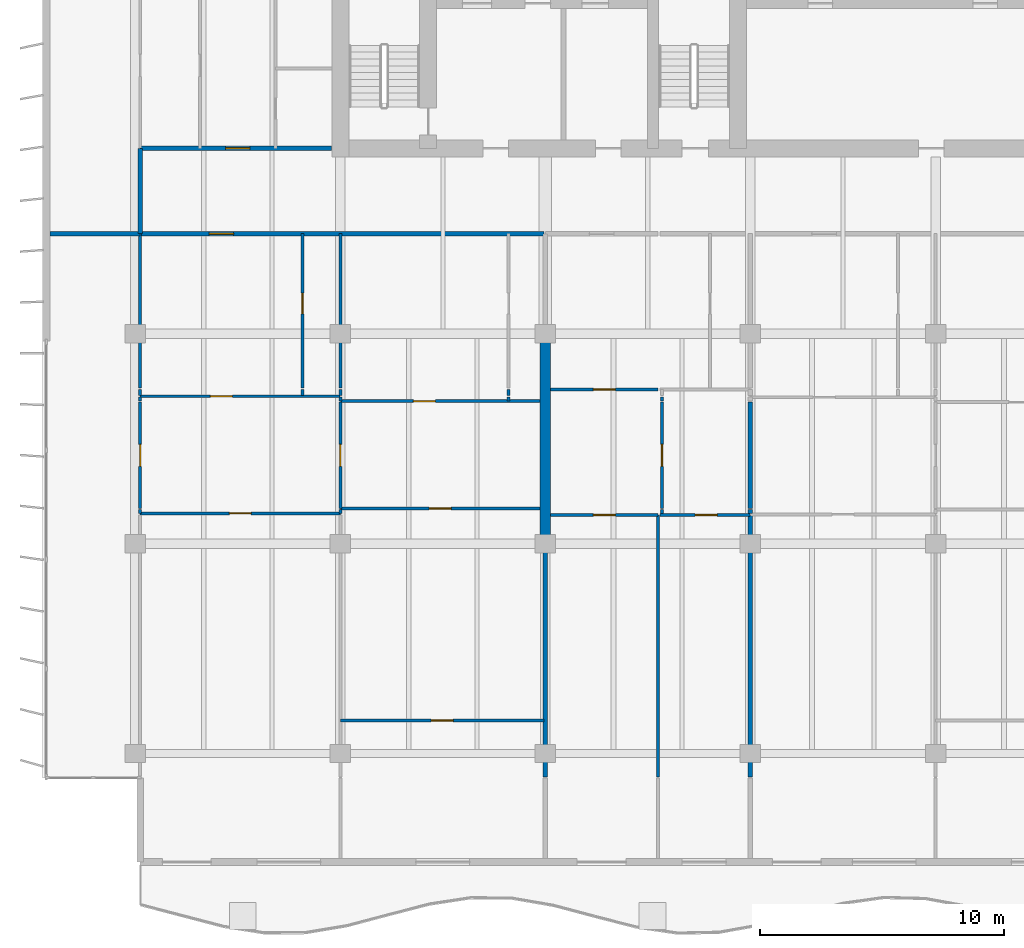
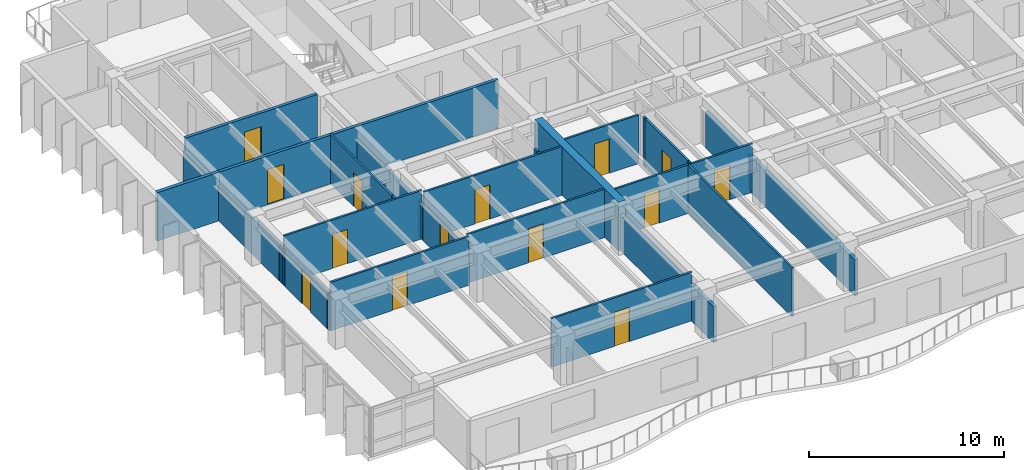
# One storey, part 8 of 19: 35 walls, 14 doors, 14 openings.
"""IFC4 building model written with IfcOpenShell, lengths in metres."""

from ifc_helpers import new_model, si_unit, direction, frame, frame_2d, origin, place, context, subcontext, project, spatial, rectangle, extrude, material, layer, layer_set, type_object, element, fill, save


model = new_model("IFC4")

# Units and contexts
model_context = context("Model", 3, precision=1e-05, world=origin(), true_north=direction((0.0, 1.0)))
body_context = subcontext(model_context, "Body", "Model", "MODEL_VIEW")
ifc_project = project(units=[si_unit("LENGTHUNIT", "METRE"), si_unit("AREAUNIT", "SQUARE_METRE"), si_unit("VOLUMEUNIT", "CUBIC_METRE"), si_unit("PLANEANGLEUNIT", "RADIAN"), si_unit("MASSUNIT", "GRAM", prefix="KILO")], contexts=[model_context])

# Site, building, storey
site_placement = place(None, origin())
site = spatial("IfcSite", under=ifc_project, at=site_placement, CompositionType="ELEMENT")
building_placement = place(site_placement, origin())
building = spatial("IfcBuilding", under=site, at=building_placement, Name="Caelmar Bay Residences", CompositionType="ELEMENT")
storey_placement = place(building_placement, frame((0.0, 0.0, 188.39990234375)))
storey = spatial("IfcBuildingStorey", under=building, at=storey_placement, Name="L52", CompositionType="ELEMENT", Elevation=188.39990234375)

# Walls
ifc_material_1 = material(Name="Concrete f'c 55 MPa (8,000 psi)", Category="concrete")
ifc_layer_1 = layer(ifc_material_1, 0.449951171875)
ifc_layer_set_1 = layer_set([ifc_layer_1], Name="Concrete f'c 55 MPa (8,000 psi)")
wall_type_1 = type_object("IfcWallType", Name="SW-XSLB-450", PredefinedType="SHEAR", material=ifc_layer_set_1)
wall_1_placement = place(storey_placement, frame((26.699951171875, 20.800048828125, 0.0), z_axis=(0.0, 0.0, 1.0), x_axis=(0.0, 1.0, 0.0)))
element("IfcWall", 1, at=wall_1_placement, inside=storey, type_object=wall_type_1, Name="L52 Transverse Cross-Slab Shear Wall W5", PredefinedType="SHEAR", context=body_context, shape_type="SweptSolid", body=[
    extrude(rectangle(XDim=8.599853515625, YDim=0.449951171875, at=frame_2d((4.2998046875, 0.0))), origin(), (0.0, 0.0, 1.0), 3.050048828125),
])
ifc_material_2 = material(Name="Double-stud acoustic fire-rated gypsum partition 180 mm")
ifc_layer_2 = layer(ifc_material_2, 0.179931640625)
ifc_layer_set_2 = layer_set([ifc_layer_2], Name="Double-stud acoustic fire-rated gypsum partition 180 mm")
wall_type_2 = type_object("IfcWallType", Name="W-COR-200", PredefinedType="PARTITIONING", material=ifc_layer_set_2)
wall_2_placement = place(storey_placement, frame((10.10009765625, 33.5048828125, 0.0), z_axis=(0.0, 0.0, 1.0), x_axis=(0.0, 1.0, 0.0)))
element("IfcWall", 2, at=wall_2_placement, inside=storey, type_object=wall_type_2, Name="L52 Partition Wall V007", PredefinedType="PARTITIONING", context=body_context, shape_type="SweptSolid", body=[
    extrude(rectangle(XDim=3.4951171875, YDim=0.179931640625, at=frame_2d((1.74755859375, 0.0))), origin(), (0.0, 0.0, 1.0), 2.26318359375),
])

# Wall, opening, door
wall_3_placement = place(storey_placement, frame((10.10498046875, 33.5, 0.0), z_axis=(0.0, 0.0, 1.0), x_axis=(1.0, 0.0, 0.0)))
wall_3 = element("IfcWall", 3, at=wall_3_placement, inside=storey, type_object=wall_type_2, Name="L52 Partition Wall H124", PredefinedType="PARTITIONING", context=body_context, shape_type="SweptSolid", body=[
    extrude(rectangle(XDim=16.544921875, YDim=0.179931640625, at=frame_2d((8.2724609375, 0.0))), origin(), (0.0, 0.0, 1.0), 3.050048828125),
])
opening_1_placement = place(wall_3_placement, frame((2.823974609375, 0.0, 0.0)))
opening_1 = element("IfcOpeningElement", 4, at=opening_1_placement, cuts=wall_3, Name="Opening D-L52-124", PredefinedType="OPENING", context=body_context, shape_type="SweptSolid", body=[
    extrude(rectangle(XDim=1.0, YDim=2.199951171875, at=frame_2d((0.5, 1.10009765625))), frame((0.0, 0.099853515625, 0.0), z_axis=(0.0, -1.0, 0.0), x_axis=(1.0, 0.0, 0.0)), (0.0, 0.0, 1.0), 0.199951171875),
])
ifc_material_3 = material(Name="Fire-rated steel and walnut architectural door assembly", Category="steel")
ifc_layer_3 = layer(ifc_material_3, 0.050048828125)
ifc_layer_set_3 = layer_set([ifc_layer_3], Name="Fire-rated steel and walnut architectural door assembly")
door_type_1 = type_object("IfcDoorType", Name="D-UNIT-1000", OperationType="NOTDEFINED", PredefinedType="DOOR", material=ifc_layer_set_3)
door_1_placement = place(opening_1_placement, origin())
door_1 = element("IfcDoor", 5, at=door_1_placement, inside=storey, type_object=door_type_1, Name="L52 Residence 01 Apartment Hall Door", OperationType="SINGLE_SWING_RIGHT", OverallHeight=2.199951171875, OverallWidth=1.0, PredefinedType="DOOR", context=body_context, shape_type="SweptSolid", body=[
    extrude(rectangle(XDim=1.0, YDim=2.199951171875, at=frame_2d((0.5, 1.10009765625))), frame((0.0, 0.02490234375, 0.0), z_axis=(0.0, -1.0, 0.0), x_axis=(1.0, 0.0, 0.0)), (0.0, 0.0, 1.0), 0.050048828125),
])
fill(opening_1, door_1)

wall_4_placement = place(storey_placement, frame((10.10009765625, 37.0, 0.0), z_axis=(0.0, 0.0, 1.0), x_axis=(1.0, 0.0, 0.0)))
wall_4 = element("IfcWall", 6, at=wall_4_placement, inside=storey, type_object=wall_type_2, Name="L52 Partition Wall H128", PredefinedType="PARTITIONING", context=body_context, shape_type="SweptSolid", body=[
    extrude(rectangle(XDim=7.844970703125, YDim=0.179931640625, at=frame_2d((3.92236328125, 0.0))), origin(), (0.0, 0.0, 1.0), 3.050048828125),
])
opening_2_placement = place(wall_4_placement, frame((3.49609375, 0.0, 0.0)))
opening_2 = element("IfcOpeningElement", 7, at=opening_2_placement, cuts=wall_4, Name="Opening D-L52-164", PredefinedType="OPENING", context=body_context, shape_type="SweptSolid", body=[
    extrude(rectangle(XDim=1.0, YDim=2.199951171875, at=frame_2d((0.5, 1.10009765625))), frame((0.0, 0.099853515625, 0.0), z_axis=(0.0, -1.0, 0.0), x_axis=(1.0, 0.0, 0.0)), (0.0, 0.0, 1.0), 0.199951171875),
])
door_2_placement = place(opening_2_placement, origin())
door_2 = element("IfcDoor", 8, at=door_2_placement, inside=storey, type_object=door_type_1, Name="L52 Residence WA Kitchen Door", OperationType="SINGLE_SWING_RIGHT", OverallHeight=2.199951171875, OverallWidth=1.0, PredefinedType="DOOR", context=body_context, shape_type="SweptSolid", body=[
    extrude(rectangle(XDim=1.0, YDim=2.199951171875, at=frame_2d((0.5, 1.10009765625))), frame((0.0, 0.02490234375, 0.0), z_axis=(0.0, -1.0, 0.0), x_axis=(1.0, 0.0, 0.0)), (0.0, 0.0, 1.0), 0.050048828125),
])
fill(opening_2, door_2)

# Wall
ifc_material_4 = material(Name="Acoustic metal-stud gypsum partition 120 mm")
ifc_layer_4 = layer(ifc_material_4, 0.1201171875)
ifc_layer_set_4 = layer_set([ifc_layer_4], Name="Acoustic metal-stud gypsum partition 120 mm")
wall_type_3 = type_object("IfcWallType", Name="W-PRT-120", PredefinedType="PARTITIONING", material=ifc_layer_set_4)
wall_5_placement = place(storey_placement, frame((10.10009765625, 22.0400390625, 0.0), z_axis=(0.0, 0.0, 1.0), x_axis=(0.0, 1.0, 0.0)))
element("IfcWall", 9, at=wall_5_placement, inside=storey, type_object=wall_type_3, Name="L52 Partition Wall V002", PredefinedType="PARTITIONING", context=body_context, shape_type="SweptSolid", body=[
    extrude(rectangle(XDim=0.159912109375, YDim=0.1201171875, at=frame_2d((0.080078125, 0.0))), origin(), (0.0, 0.0, 1.0), 2.26318359375),
])

# Wall, opening, door
wall_6_placement = place(storey_placement, frame((10.10009765625, 22.239990234375, 0.0), z_axis=(0.0, 0.0, 1.0), x_axis=(0.0, 1.0, 0.0)))
wall_6 = element("IfcWall", 10, at=wall_6_placement, inside=storey, type_object=wall_type_3, Name="L52 Partition Wall V003", PredefinedType="PARTITIONING", context=body_context, shape_type="SweptSolid", body=[
    extrude(rectangle(XDim=4.360107421875, YDim=0.1201171875, at=frame_2d((2.18017578125, 0.0))), origin(), (0.0, 0.0, 1.0), 2.26318359375),
])
opening_3_placement = place(wall_6_placement, frame((1.72998046875, 0.0, 0.0)))
opening_3 = element("IfcOpeningElement", 11, at=opening_3_placement, cuts=wall_6, Name="Opening D-L52-161", PredefinedType="OPENING", context=body_context, shape_type="SweptSolid", body=[
    extrude(rectangle(XDim=0.89990234375, YDim=2.14990234375, at=frame_2d((0.449951171875, 1.074951171875))), frame((0.0, 0.070068359375, 0.0), z_axis=(0.0, -1.0, 0.0), x_axis=(1.0, 0.0, 0.0)), (0.0, 0.0, 1.0), 0.14013671875),
])
ifc_material_5 = material(Name="Solid walnut timber interior door leaf and frame", Category="wood")
ifc_layer_5 = layer(ifc_material_5, 0.050048828125)
ifc_layer_set_5 = layer_set([ifc_layer_5], Name="Solid walnut timber interior door leaf and frame")
door_type_2 = type_object("IfcDoorType", Name="D-ROOM-900", OperationType="NOTDEFINED", PredefinedType="DOOR", material=ifc_layer_set_5)
door_3_placement = place(opening_3_placement, origin())
door_3 = element("IfcDoor", 12, at=door_3_placement, inside=storey, type_object=door_type_2, Name="L52 Residence 01 Penthouse West Salon Door", OperationType="SINGLE_SWING_LEFT", OverallHeight=2.14990234375, OverallWidth=0.89990234375, PredefinedType="DOOR", context=body_context, shape_type="SweptSolid", body=[
    extrude(rectangle(XDim=0.89990234375, YDim=2.14990234375, at=frame_2d((0.449951171875, 1.074951171875))), frame((0.0, 0.02490234375, 0.0), z_axis=(0.0, -1.0, 0.0), x_axis=(1.0, 0.0, 0.0)), (0.0, 0.0, 1.0), 0.050048828125),
])
fill(opening_3, door_3)

# Walls
wall_7_placement = place(storey_placement, frame((10.10009765625, 26.639892578125, 0.0), z_axis=(0.0, 0.0, 1.0), x_axis=(0.0, 1.0, 0.0)))
element("IfcWall", 13, at=wall_7_placement, inside=storey, type_object=wall_type_3, Name="L52 Partition Wall V004", PredefinedType="PARTITIONING", context=body_context, shape_type="SweptSolid", body=[
    extrude(rectangle(XDim=0.16015625, YDim=0.1201171875, at=frame_2d((0.080078125, 0.0))), origin(), (0.0, 0.0, 1.0), 2.26318359375),
])
wall_8_placement = place(storey_placement, frame((10.10009765625, 26.8798828125, 0.0), z_axis=(0.0, 0.0, 1.0), x_axis=(0.0, 1.0, 0.0)))
element("IfcWall", 14, at=wall_8_placement, inside=storey, type_object=wall_type_3, Name="L52 Partition Wall V005", PredefinedType="PARTITIONING", context=body_context, shape_type="SweptSolid", body=[
    extrude(rectangle(XDim=0.240234375, YDim=0.1201171875, at=frame_2d((0.1201171875, 0.0))), origin(), (0.0, 0.0, 1.0), 2.26318359375),
])
wall_9_placement = place(storey_placement, frame((10.10009765625, 27.179931640625, 0.0), z_axis=(0.0, 0.0, 1.0), x_axis=(0.0, 1.0, 0.0)))
element("IfcWall", 15, at=wall_9_placement, inside=storey, type_object=wall_type_3, Name="L52 Partition Wall V006", PredefinedType="PARTITIONING", context=body_context, shape_type="SweptSolid", body=[
    extrude(rectangle(XDim=6.320068359375, YDim=0.1201171875, at=frame_2d((3.16015625, 0.0))), origin(), (0.0, 0.0, 1.0), 2.26318359375),
])
wall_10_placement = place(storey_placement, frame((16.7529296875, 26.8798828125, 0.0), z_axis=(0.0, 0.0, 1.0), x_axis=(0.0, 1.0, 0.0)))
element("IfcWall", 16, at=wall_10_placement, inside=storey, type_object=wall_type_3, Name="L52 Partition Wall V012", PredefinedType="PARTITIONING", context=body_context, shape_type="SweptSolid", body=[
    extrude(rectangle(XDim=0.240234375, YDim=0.1201171875, at=frame_2d((0.1201171875, 0.0))), origin(), (0.0, 0.0, 1.0), 3.050048828125),
])

# Wall, opening, door
wall_11_placement = place(storey_placement, frame((16.7529296875, 27.179931640625, 0.0), z_axis=(0.0, 0.0, 1.0), x_axis=(0.0, 1.0, 0.0)))
wall_11 = element("IfcWall", 17, at=wall_11_placement, inside=storey, type_object=wall_type_3, Name="L52 Partition Wall V013", PredefinedType="PARTITIONING", context=body_context, shape_type="SweptSolid", body=[
    extrude(rectangle(XDim=6.320068359375, YDim=0.1201171875, at=frame_2d((3.16015625, 0.0))), origin(), (0.0, 0.0, 1.0), 3.050048828125),
])
opening_4_placement = place(wall_11_placement, frame((3.034912109375, 0.0, 0.0)))
opening_4 = element("IfcOpeningElement", 18, at=opening_4_placement, cuts=wall_11, Name="Opening D-L52-125", PredefinedType="OPENING", context=body_context, shape_type="SweptSolid", body=[
    extrude(rectangle(XDim=0.85009765625, YDim=2.10009765625, at=frame_2d((0.425048828125, 1.050048828125))), frame((0.0, 0.070068359375, 0.0), z_axis=(0.0, -1.0, 0.0), x_axis=(1.0, 0.0, 0.0)), (0.0, 0.0, 1.0), 0.14013671875),
])
ifc_layer_6 = layer(ifc_material_5, 0.050048828125)
ifc_layer_set_6 = layer_set([ifc_layer_6], Name="Solid walnut timber interior door leaf and frame")
door_type_3 = type_object("IfcDoorType", Name="D-BATH-850", OperationType="NOTDEFINED", PredefinedType="DOOR", material=ifc_layer_set_6)
door_4_placement = place(opening_4_placement, origin())
door_4 = element("IfcDoor", 19, at=door_4_placement, inside=storey, type_object=door_type_3, Name="L52 Residence 01 Guest Bathroom Door", OperationType="SINGLE_SWING_LEFT", OverallHeight=2.10009765625, OverallWidth=0.85009765625, PredefinedType="DOOR", context=body_context, shape_type="SweptSolid", body=[
    extrude(rectangle(XDim=0.85009765625, YDim=2.10009765625, at=frame_2d((0.425048828125, 1.050048828125))), frame((0.0, 0.02490234375, 0.0), z_axis=(0.0, -1.0, 0.0), x_axis=(1.0, 0.0, 0.0)), (0.0, 0.0, 1.0), 0.050048828125),
])
fill(opening_4, door_4)

# Wall
wall_12_placement = place(storey_placement, frame((18.300048828125, 22.0400390625, 0.0), z_axis=(0.0, 0.0, 1.0), x_axis=(0.0, 1.0, 0.0)))
element("IfcWall", 20, at=wall_12_placement, inside=storey, type_object=wall_type_3, Name="L52 Partition Wall V016", PredefinedType="PARTITIONING", context=body_context, shape_type="SweptSolid", body=[
    extrude(rectangle(XDim=0.159912109375, YDim=0.1201171875, at=frame_2d((0.080078125, 0.0))), origin(), (0.0, 0.0, 1.0), 2.26318359375),
])

# Wall, opening, door
wall_13_placement = place(storey_placement, frame((18.300048828125, 22.239990234375, 0.0), z_axis=(0.0, 0.0, 1.0), x_axis=(0.0, 1.0, 0.0)))
wall_13 = element("IfcWall", 21, at=wall_13_placement, inside=storey, type_object=wall_type_3, Name="L52 Partition Wall V017", PredefinedType="PARTITIONING", context=body_context, shape_type="SweptSolid", body=[
    extrude(rectangle(XDim=4.360107421875, YDim=0.1201171875, at=frame_2d((2.18017578125, 0.0))), origin(), (0.0, 0.0, 1.0), 2.26318359375),
])
opening_5_placement = place(wall_13_placement, frame((1.72998046875, 0.0, 0.0)))
opening_5 = element("IfcOpeningElement", 22, at=opening_5_placement, cuts=wall_13, Name="Opening D-L52-128", PredefinedType="OPENING", context=body_context, shape_type="SweptSolid", body=[
    extrude(rectangle(XDim=0.89990234375, YDim=2.14990234375, at=frame_2d((0.449951171875, 1.074951171875))), frame((0.0, 0.070068359375, 0.0), z_axis=(0.0, -1.0, 0.0), x_axis=(1.0, 0.0, 0.0)), (0.0, 0.0, 1.0), 0.14013671875),
])
door_5_placement = place(opening_5_placement, origin())
door_5 = element("IfcDoor", 23, at=door_5_placement, inside=storey, type_object=door_type_2, Name="L52 Residence 01 Conference Study 1 Door", OperationType="SINGLE_SWING_RIGHT", OverallHeight=2.14990234375, OverallWidth=0.89990234375, PredefinedType="DOOR", context=body_context, shape_type="SweptSolid", body=[
    extrude(rectangle(XDim=0.89990234375, YDim=2.14990234375, at=frame_2d((0.449951171875, 1.074951171875))), frame((0.0, 0.02490234375, 0.0), z_axis=(0.0, -1.0, 0.0), x_axis=(1.0, 0.0, 0.0)), (0.0, 0.0, 1.0), 0.050048828125),
])
fill(opening_5, door_5)

# Walls
wall_14_placement = place(storey_placement, frame((18.300048828125, 26.639892578125, 0.0), z_axis=(0.0, 0.0, 1.0), x_axis=(0.0, 1.0, 0.0)))
element("IfcWall", 24, at=wall_14_placement, inside=storey, type_object=wall_type_3, Name="L52 Partition Wall V018", PredefinedType="PARTITIONING", context=body_context, shape_type="SweptSolid", body=[
    extrude(rectangle(XDim=0.16015625, YDim=0.1201171875, at=frame_2d((0.080078125, 0.0))), origin(), (0.0, 0.0, 1.0), 2.26318359375),
])
wall_15_placement = place(storey_placement, frame((18.300048828125, 26.8798828125, 0.0), z_axis=(0.0, 0.0, 1.0), x_axis=(0.0, 1.0, 0.0)))
element("IfcWall", 25, at=wall_15_placement, inside=storey, type_object=wall_type_3, Name="L52 Partition Wall V019", PredefinedType="PARTITIONING", context=body_context, shape_type="SweptSolid", body=[
    extrude(rectangle(XDim=0.240234375, YDim=0.1201171875, at=frame_2d((0.1201171875, 0.0))), origin(), (0.0, 0.0, 1.0), 2.26318359375),
])
wall_16_placement = place(storey_placement, frame((18.300048828125, 27.179931640625, 0.0), z_axis=(0.0, 0.0, 1.0), x_axis=(0.0, 1.0, 0.0)))
element("IfcWall", 26, at=wall_16_placement, inside=storey, type_object=wall_type_3, Name="L52 Partition Wall V020", PredefinedType="PARTITIONING", context=body_context, shape_type="SweptSolid", body=[
    extrude(rectangle(XDim=6.320068359375, YDim=0.1201171875, at=frame_2d((3.16015625, 0.0))), origin(), (0.0, 0.0, 1.0), 2.26318359375),
])
wall_17_placement = place(storey_placement, frame((25.199951171875, 26.639892578125, 0.0), z_axis=(0.0, 0.0, 1.0), x_axis=(0.0, 1.0, 0.0)))
element("IfcWall", 27, at=wall_17_placement, inside=storey, type_object=wall_type_3, Name="L52 Partition Wall V022", PredefinedType="PARTITIONING", context=body_context, shape_type="SweptSolid", body=[
    extrude(rectangle(XDim=0.16015625, YDim=0.1201171875, at=frame_2d((0.080078125, 0.0))), origin(), (0.0, 0.0, 1.0), 3.050048828125),
])
wall_18_placement = place(storey_placement, frame((25.199951171875, 26.8798828125, 0.0), z_axis=(0.0, 0.0, 1.0), x_axis=(0.0, 1.0, 0.0)))
element("IfcWall", 28, at=wall_18_placement, inside=storey, type_object=wall_type_3, Name="L52 Partition Wall V023", PredefinedType="PARTITIONING", context=body_context, shape_type="SweptSolid", body=[
    extrude(rectangle(XDim=0.240234375, YDim=0.1201171875, at=frame_2d((0.1201171875, 0.0))), origin(), (0.0, 0.0, 1.0), 3.050048828125),
])
wall_19_placement = place(storey_placement, frame((31.320068359375, 11.239990234375, 0.0), z_axis=(0.0, 0.0, 1.0), x_axis=(0.0, 1.0, 0.0)))
element("IfcWall", 29, at=wall_19_placement, inside=storey, type_object=wall_type_3, Name="L52 Partition Wall V033", PredefinedType="PARTITIONING", context=body_context, shape_type="SweptSolid", body=[
    extrude(rectangle(XDim=10.72998046875, YDim=0.1201171875, at=frame_2d((5.364990234375, 0.0))), origin(), (0.0, 0.0, 1.0), 3.050048828125),
])
wall_20_placement = place(storey_placement, frame((31.486083984375, 22.0400390625, 0.0), z_axis=(0.0, 0.0, 1.0), x_axis=(0.0, 1.0, 0.0)))
element("IfcWall", 30, at=wall_20_placement, inside=storey, type_object=wall_type_3, Name="L52 Partition Wall V035", PredefinedType="PARTITIONING", context=body_context, shape_type="SweptSolid", body=[
    extrude(rectangle(XDim=0.159912109375, YDim=0.1201171875, at=frame_2d((0.080078125, 0.0))), origin(), (0.0, 0.0, 1.0), 3.050048828125),
])

# Wall, opening, door
wall_21_placement = place(storey_placement, frame((31.486083984375, 22.239990234375, 0.0), z_axis=(0.0, 0.0, 1.0), x_axis=(0.0, 1.0, 0.0)))
wall_21 = element("IfcWall", 31, at=wall_21_placement, inside=storey, type_object=wall_type_3, Name="L52 Partition Wall V036", PredefinedType="PARTITIONING", context=body_context, shape_type="SweptSolid", body=[
    extrude(rectangle(XDim=4.360107421875, YDim=0.1201171875, at=frame_2d((2.18017578125, 0.0))), origin(), (0.0, 0.0, 1.0), 3.050048828125),
])
opening_6_placement = place(wall_21_placement, frame((1.72998046875, 0.0, 0.0)))
opening_6 = element("IfcOpeningElement", 32, at=opening_6_placement, cuts=wall_21, Name="Opening D-L52-136", PredefinedType="OPENING", context=body_context, shape_type="SweptSolid", body=[
    extrude(rectangle(XDim=0.89990234375, YDim=2.14990234375, at=frame_2d((0.449951171875, 1.074951171875))), frame((0.0, 0.070068359375, 0.0), z_axis=(0.0, -1.0, 0.0), x_axis=(1.0, 0.0, 0.0)), (0.0, 0.0, 1.0), 0.14013671875),
])
door_6_placement = place(opening_6_placement, origin())
door_6 = element("IfcDoor", 33, at=door_6_placement, inside=storey, type_object=door_type_2, Name="L52 Residence 02 Private Meeting Room Door", OperationType="SINGLE_SWING_RIGHT", OverallHeight=2.14990234375, OverallWidth=0.89990234375, PredefinedType="DOOR", context=body_context, shape_type="SweptSolid", body=[
    extrude(rectangle(XDim=0.89990234375, YDim=2.14990234375, at=frame_2d((0.449951171875, 1.074951171875))), frame((0.0, 0.02490234375, 0.0), z_axis=(0.0, -1.0, 0.0), x_axis=(1.0, 0.0, 0.0)), (0.0, 0.0, 1.0), 0.050048828125),
])
fill(opening_6, door_6)

# Wall
wall_22_placement = place(storey_placement, frame((31.486083984375, 26.639892578125, 0.0), z_axis=(0.0, 0.0, 1.0), x_axis=(0.0, 1.0, 0.0)))
element("IfcWall", 34, at=wall_22_placement, inside=storey, type_object=wall_type_3, Name="L52 Partition Wall V037", PredefinedType="PARTITIONING", context=body_context, shape_type="SweptSolid", body=[
    extrude(rectangle(XDim=0.16015625, YDim=0.1201171875, at=frame_2d((0.080078125, 0.0))), origin(), (0.0, 0.0, 1.0), 3.050048828125),
])

# Wall, opening, door
wall_23_placement = place(storey_placement, frame((18.300048828125, 13.550048828125, 0.0), z_axis=(0.0, 0.0, 1.0), x_axis=(1.0, 0.0, 0.0)))
wall_23 = element("IfcWall", 35, at=wall_23_placement, inside=storey, type_object=wall_type_3, Name="L52 Partition Wall H104", PredefinedType="PARTITIONING", context=body_context, shape_type="SweptSolid", body=[
    extrude(rectangle(XDim=8.349853515625, YDim=0.1201171875, at=frame_2d((4.1748046875, 0.0))), origin(), (0.0, 0.0, 1.0), 3.050048828125),
])
opening_7_placement = place(wall_23_placement, frame((3.72509765625, 0.0, 0.0)))
opening_7 = element("IfcOpeningElement", 36, at=opening_7_placement, cuts=wall_23, Name="Opening D-L52-132", PredefinedType="OPENING", context=body_context, shape_type="SweptSolid", body=[
    extrude(rectangle(XDim=0.89990234375, YDim=2.14990234375, at=frame_2d((0.449951171875, 1.074951171875))), frame((0.0, 0.070068359375, 0.0), z_axis=(0.0, -1.0, 0.0), x_axis=(1.0, 0.0, 0.0)), (0.0, 0.0, 1.0), 0.14013671875),
])
door_7_placement = place(opening_7_placement, origin())
door_7 = element("IfcDoor", 37, at=door_7_placement, inside=storey, type_object=door_type_2, Name="L52 Residence 01 Primary Bedroom 1 Door", OperationType="SINGLE_SWING_RIGHT", OverallHeight=2.14990234375, OverallWidth=0.89990234375, PredefinedType="DOOR", context=body_context, shape_type="SweptSolid", body=[
    extrude(rectangle(XDim=0.89990234375, YDim=2.14990234375, at=frame_2d((0.449951171875, 1.074951171875))), frame((0.0, 0.02490234375, 0.0), z_axis=(0.0, -1.0, 0.0), x_axis=(1.0, 0.0, 0.0)), (0.0, 0.0, 1.0), 0.050048828125),
])
fill(opening_7, door_7)

wall_24_placement = place(storey_placement, frame((26.919921875, 21.969970703125, 0.0), z_axis=(0.0, 0.0, 1.0), x_axis=(1.0, 0.0, 0.0)))
wall_24 = element("IfcWall", 38, at=wall_24_placement, inside=storey, type_object=wall_type_3, Name="L52 Partition Wall H108", PredefinedType="PARTITIONING", context=body_context, shape_type="SweptSolid", body=[
    extrude(rectangle(XDim=4.400146484375, YDim=0.1201171875, at=frame_2d((2.2001953125, 0.0))), origin(), (0.0, 0.0, 1.0), 3.050048828125),
])
opening_8_placement = place(wall_24_placement, frame((1.75, 0.0, 0.0)))
opening_8 = element("IfcOpeningElement", 39, at=opening_8_placement, cuts=wall_24, Name="Opening D-L52-137", PredefinedType="OPENING", context=body_context, shape_type="SweptSolid", body=[
    extrude(rectangle(XDim=0.89990234375, YDim=2.14990234375, at=frame_2d((0.449951171875, 1.074951171875))), frame((0.0, 0.070068359375, 0.0), z_axis=(0.0, -1.0, 0.0), x_axis=(1.0, 0.0, 0.0)), (0.0, 0.0, 1.0), 0.14013671875),
])
door_8_placement = place(opening_8_placement, origin())
door_8 = element("IfcDoor", 40, at=door_8_placement, inside=storey, type_object=door_type_2, Name="L52 Residence 02 Living Room Door", OperationType="SINGLE_SWING_LEFT", OverallHeight=2.14990234375, OverallWidth=0.89990234375, PredefinedType="DOOR", context=body_context, shape_type="SweptSolid", body=[
    extrude(rectangle(XDim=0.89990234375, YDim=2.14990234375, at=frame_2d((0.449951171875, 1.074951171875))), frame((0.0, 0.02490234375, 0.0), z_axis=(0.0, -1.0, 0.0), x_axis=(1.0, 0.0, 0.0)), (0.0, 0.0, 1.0), 0.050048828125),
])
fill(opening_8, door_8)

wall_25_placement = place(storey_placement, frame((31.39990234375, 21.969970703125, 0.0), z_axis=(0.0, 0.0, 1.0), x_axis=(1.0, 0.0, 0.0)))
wall_25 = element("IfcWall", 41, at=wall_25_placement, inside=storey, type_object=wall_type_3, Name="L52 Partition Wall H109", PredefinedType="PARTITIONING", context=body_context, shape_type="SweptSolid", body=[
    extrude(rectangle(XDim=3.7001953125, YDim=0.1201171875, at=frame_2d((1.85009765625, 0.0))), origin(), (0.0, 0.0, 1.0), 3.050048828125),
])
opening_9_placement = place(wall_25_placement, frame((1.443115234375, 0.0, 0.0)))
opening_9 = element("IfcOpeningElement", 42, at=opening_9_placement, cuts=wall_25, Name="Opening D-L52-138", PredefinedType="OPENING", context=body_context, shape_type="SweptSolid", body=[
    extrude(rectangle(XDim=0.89990234375, YDim=2.14990234375, at=frame_2d((0.449951171875, 1.074951171875))), frame((0.0, 0.070068359375, 0.0), z_axis=(0.0, -1.0, 0.0), x_axis=(1.0, 0.0, 0.0)), (0.0, 0.0, 1.0), 0.14013671875),
])
door_9_placement = place(opening_9_placement, origin())
door_9 = element("IfcDoor", 43, at=door_9_placement, inside=storey, type_object=door_type_2, Name="L52 Residence 02 Primary Bedroom Door", OperationType="SINGLE_SWING_RIGHT", OverallHeight=2.14990234375, OverallWidth=0.89990234375, PredefinedType="DOOR", context=body_context, shape_type="SweptSolid", body=[
    extrude(rectangle(XDim=0.89990234375, YDim=2.14990234375, at=frame_2d((0.449951171875, 1.074951171875))), frame((0.0, 0.02490234375, 0.0), z_axis=(0.0, -1.0, 0.0), x_axis=(1.0, 0.0, 0.0)), (0.0, 0.0, 1.0), 0.050048828125),
])
fill(opening_9, door_9)

wall_26_placement = place(storey_placement, frame((10.10009765625, 22.0400390625, 0.0), z_axis=(0.0, 0.0, 1.0), x_axis=(1.0, 0.0, 0.0)))
wall_26 = element("IfcWall", 44, at=wall_26_placement, inside=storey, type_object=wall_type_3, Name="L52 Partition Wall H112", PredefinedType="PARTITIONING", context=body_context, shape_type="SweptSolid", body=[
    extrude(rectangle(XDim=8.199951171875, YDim=0.1201171875, at=frame_2d((4.10009765625, 0.0))), origin(), (0.0, 0.0, 1.0), 3.050048828125),
])
opening_10_placement = place(wall_26_placement, frame((3.64990234375, 0.0, 0.0)))
opening_10 = element("IfcOpeningElement", 45, at=opening_10_placement, cuts=wall_26, Name="Opening D-L52-127", PredefinedType="OPENING", context=body_context, shape_type="SweptSolid", body=[
    extrude(rectangle(XDim=0.89990234375, YDim=2.14990234375, at=frame_2d((0.449951171875, 1.074951171875))), frame((0.0, 0.070068359375, 0.0), z_axis=(0.0, -1.0, 0.0), x_axis=(1.0, 0.0, 0.0)), (0.0, 0.0, 1.0), 0.14013671875),
])
door_10_placement = place(opening_10_placement, origin())
door_10 = element("IfcDoor", 46, at=door_10_placement, inside=storey, type_object=door_type_2, Name="L52 Residence 01 Penthouse Living Salon Door", OperationType="SINGLE_SWING_LEFT", OverallHeight=2.14990234375, OverallWidth=0.89990234375, PredefinedType="DOOR", context=body_context, shape_type="SweptSolid", body=[
    extrude(rectangle(XDim=0.89990234375, YDim=2.14990234375, at=frame_2d((0.449951171875, 1.074951171875))), frame((0.0, 0.02490234375, 0.0), z_axis=(0.0, -1.0, 0.0), x_axis=(1.0, 0.0, 0.0)), (0.0, 0.0, 1.0), 0.050048828125),
])
fill(opening_10, door_10)

wall_27_placement = place(storey_placement, frame((18.304931640625, 22.239990234375, 0.0), z_axis=(0.0, 0.0, 1.0), x_axis=(1.0, 0.0, 0.0)))
wall_27 = element("IfcWall", 47, at=wall_27_placement, inside=storey, type_object=wall_type_3, Name="L52 Partition Wall H114", PredefinedType="PARTITIONING", context=body_context, shape_type="SweptSolid", body=[
    extrude(rectangle(XDim=8.175048828125, YDim=0.1201171875, at=frame_2d((4.08740234375, 0.0))), origin(), (0.0, 0.0, 1.0), 3.050048828125),
])
opening_11_placement = place(wall_27_placement, frame((3.637451171875, 0.0, 0.0)))
opening_11 = element("IfcOpeningElement", 48, at=opening_11_placement, cuts=wall_27, Name="Opening D-L52-131", PredefinedType="OPENING", context=body_context, shape_type="SweptSolid", body=[
    extrude(rectangle(XDim=0.89990234375, YDim=2.14990234375, at=frame_2d((0.449951171875, 1.074951171875))), frame((0.0, 0.070068359375, 0.0), z_axis=(0.0, -1.0, 0.0), x_axis=(1.0, 0.0, 0.0)), (0.0, 0.0, 1.0), 0.14013671875),
])
door_11_placement = place(opening_11_placement, origin())
door_11 = element("IfcDoor", 49, at=door_11_placement, inside=storey, type_object=door_type_2, Name="L52 Residence 01 Penthouse Sitting Salon 1 Door", OperationType="SINGLE_SWING_LEFT", OverallHeight=2.14990234375, OverallWidth=0.89990234375, PredefinedType="DOOR", context=body_context, shape_type="SweptSolid", body=[
    extrude(rectangle(XDim=0.89990234375, YDim=2.14990234375, at=frame_2d((0.449951171875, 1.074951171875))), frame((0.0, 0.02490234375, 0.0), z_axis=(0.0, -1.0, 0.0), x_axis=(1.0, 0.0, 0.0)), (0.0, 0.0, 1.0), 0.050048828125),
])
fill(opening_11, door_11)

wall_28_placement = place(storey_placement, frame((18.300048828125, 26.639892578125, 0.0), z_axis=(0.0, 0.0, 1.0), x_axis=(1.0, 0.0, 0.0)))
wall_28 = element("IfcWall", 50, at=wall_28_placement, inside=storey, type_object=wall_type_3, Name="L52 Partition Wall H116", PredefinedType="PARTITIONING", context=body_context, shape_type="SweptSolid", body=[
    extrude(rectangle(XDim=8.179931640625, YDim=0.1201171875, at=frame_2d((4.08984375, 0.0))), origin(), (0.0, 0.0, 1.0), 3.050048828125),
])
opening_12_placement = place(wall_28_placement, frame((3.0, 0.0, 0.0)))
opening_12 = element("IfcOpeningElement", 51, at=opening_12_placement, cuts=wall_28, Name="Opening D-L52-129", PredefinedType="OPENING", context=body_context, shape_type="SweptSolid", body=[
    extrude(rectangle(XDim=0.89990234375, YDim=2.14990234375, at=frame_2d((0.449951171875, 1.074951171875))), frame((0.0, 0.070068359375, 0.0), z_axis=(0.0, -1.0, 0.0), x_axis=(1.0, 0.0, 0.0)), (0.0, 0.0, 1.0), 0.14013671875),
])
door_12_placement = place(opening_12_placement, origin())
door_12 = element("IfcDoor", 52, at=door_12_placement, inside=storey, type_object=door_type_2, Name="L52 Residence 01 Private Meeting Room 1 Door", OperationType="SINGLE_SWING_LEFT", OverallHeight=2.14990234375, OverallWidth=0.89990234375, PredefinedType="DOOR", context=body_context, shape_type="SweptSolid", body=[
    extrude(rectangle(XDim=0.89990234375, YDim=2.14990234375, at=frame_2d((0.449951171875, 1.074951171875))), frame((0.0, 0.02490234375, 0.0), z_axis=(0.0, -1.0, 0.0), x_axis=(1.0, 0.0, 0.0)), (0.0, 0.0, 1.0), 0.050048828125),
])
fill(opening_12, door_12)

wall_29_placement = place(storey_placement, frame((10.10009765625, 26.840087890625, 0.0), z_axis=(0.0, 0.0, 1.0), x_axis=(1.0, 0.0, 0.0)))
wall_29 = element("IfcWall", 53, at=wall_29_placement, inside=storey, type_object=wall_type_3, Name="L52 Partition Wall H118", PredefinedType="PARTITIONING", context=body_context, shape_type="SweptSolid", body=[
    extrude(rectangle(XDim=8.19482421875, YDim=0.1201171875, at=frame_2d((4.097412109375, 0.0))), origin(), (0.0, 0.0, 1.0), 3.050048828125),
])
opening_13_placement = place(wall_29_placement, frame((2.87646484375, 0.0, 0.0)))
opening_13 = element("IfcOpeningElement", 54, at=opening_13_placement, cuts=wall_29, Name="Opening D-L52-126", PredefinedType="OPENING", context=body_context, shape_type="SweptSolid", body=[
    extrude(rectangle(XDim=0.89990234375, YDim=2.14990234375, at=frame_2d((0.449951171875, 1.074951171875))), frame((0.0, 0.070068359375, 0.0), z_axis=(0.0, -1.0, 0.0), x_axis=(1.0, 0.0, 0.0)), (0.0, 0.0, 1.0), 0.14013671875),
])
door_13_placement = place(opening_13_placement, origin())
door_13 = element("IfcDoor", 55, at=door_13_placement, inside=storey, type_object=door_type_2, Name="L52 Residence 01 Kitchen Door", OperationType="SINGLE_SWING_RIGHT", OverallHeight=2.14990234375, OverallWidth=0.89990234375, PredefinedType="DOOR", context=body_context, shape_type="SweptSolid", body=[
    extrude(rectangle(XDim=0.89990234375, YDim=2.14990234375, at=frame_2d((0.449951171875, 1.074951171875))), frame((0.0, 0.02490234375, 0.0), z_axis=(0.0, -1.0, 0.0), x_axis=(1.0, 0.0, 0.0)), (0.0, 0.0, 1.0), 0.050048828125),
])
fill(opening_13, door_13)

wall_30_placement = place(storey_placement, frame((26.919921875, 27.1201171875, 0.0), z_axis=(0.0, 0.0, 1.0), x_axis=(1.0, 0.0, 0.0)))
wall_30 = element("IfcWall", 56, at=wall_30_placement, inside=storey, type_object=wall_type_3, Name="L52 Partition Wall H120", PredefinedType="PARTITIONING", context=body_context, shape_type="SweptSolid", body=[
    extrude(rectangle(XDim=4.400146484375, YDim=0.1201171875, at=frame_2d((2.2001953125, 0.0))), origin(), (0.0, 0.0, 1.0), 3.050048828125),
])
opening_14_placement = place(wall_30_placement, frame((1.75, 0.0, 0.0)))
opening_14 = element("IfcOpeningElement", 57, at=opening_14_placement, cuts=wall_30, Name="Opening D-L52-135", PredefinedType="OPENING", context=body_context, shape_type="SweptSolid", body=[
    extrude(rectangle(XDim=0.89990234375, YDim=2.14990234375, at=frame_2d((0.449951171875, 1.074951171875))), frame((0.0, 0.070068359375, 0.0), z_axis=(0.0, -1.0, 0.0), x_axis=(1.0, 0.0, 0.0)), (0.0, 0.0, 1.0), 0.14013671875),
])
door_14_placement = place(opening_14_placement, origin())
door_14 = element("IfcDoor", 58, at=door_14_placement, inside=storey, type_object=door_type_2, Name="L52 Residence 02 Kitchen Door", OperationType="SINGLE_SWING_LEFT", OverallHeight=2.14990234375, OverallWidth=0.89990234375, PredefinedType="DOOR", context=body_context, shape_type="SweptSolid", body=[
    extrude(rectangle(XDim=0.89990234375, YDim=2.14990234375, at=frame_2d((0.449951171875, 1.074951171875))), frame((0.0, 0.02490234375, 0.0), z_axis=(0.0, -1.0, 0.0), x_axis=(1.0, 0.0, 0.0)), (0.0, 0.0, 1.0), 0.050048828125),
])
fill(opening_14, door_14)

# Walls
ifc_material_6 = material(Name="Acoustic twin-stud fire-rated inter-tenancy partition 200 mm")
ifc_layer_7 = layer(ifc_material_6, 0.199951171875)
ifc_layer_set_7 = layer_set([ifc_layer_7], Name="Acoustic twin-stud fire-rated inter-tenancy partition 200 mm")
wall_type_4 = type_object("IfcWallType", Name="W-PTY-200", PredefinedType="PARTITIONING", material=ifc_layer_set_7)
wall_31_placement = place(storey_placement, frame((26.699951171875, 11.239990234375, 0.0), z_axis=(0.0, 0.0, 1.0), x_axis=(0.0, 1.0, 0.0)))
element("IfcWall", 59, at=wall_31_placement, inside=storey, type_object=wall_type_4, Name="L52 Partition Wall V028", PredefinedType="PARTITIONING", context=body_context, shape_type="SweptSolid", body=[
    extrude(rectangle(XDim=9.554931640625, YDim=0.199951171875, at=frame_2d((4.77734375, 0.0))), origin(), (0.0, 0.0, 1.0), 2.26318359375),
])
wall_32_placement = place(storey_placement, frame((35.10009765625, 11.239990234375, 0.0), z_axis=(0.0, 0.0, 1.0), x_axis=(0.0, 1.0, 0.0)))
element("IfcWall", 60, at=wall_32_placement, inside=storey, type_object=wall_type_4, Name="L52 Partition Wall V041", PredefinedType="PARTITIONING", context=body_context, shape_type="SweptSolid", body=[
    extrude(rectangle(XDim=10.72998046875, YDim=0.199951171875, at=frame_2d((5.364990234375, 0.0))), origin(), (0.0, 0.0, 1.0), 2.26318359375),
])
wall_33_placement = place(storey_placement, frame((35.10009765625, 22.0400390625, 0.0), z_axis=(0.0, 0.0, 1.0), x_axis=(0.0, 1.0, 0.0)))
element("IfcWall", 61, at=wall_33_placement, inside=storey, type_object=wall_type_4, Name="L52 Partition Wall V042", PredefinedType="PARTITIONING", context=body_context, shape_type="SweptSolid", body=[
    extrude(rectangle(XDim=0.159912109375, YDim=0.199951171875, at=frame_2d((0.080078125, 0.0))), origin(), (0.0, 0.0, 1.0), 2.26318359375),
])
wall_34_placement = place(storey_placement, frame((35.10009765625, 22.239990234375, 0.0), z_axis=(0.0, 0.0, 1.0), x_axis=(0.0, 1.0, 0.0)))
element("IfcWall", 62, at=wall_34_placement, inside=storey, type_object=wall_type_4, Name="L52 Partition Wall V043", PredefinedType="PARTITIONING", context=body_context, shape_type="SweptSolid", body=[
    extrude(rectangle(XDim=4.360107421875, YDim=0.199951171875, at=frame_2d((2.18017578125, 0.0))), origin(), (0.0, 0.0, 1.0), 2.26318359375),
])
wall_35_placement = place(storey_placement, frame((6.39501953125, 33.5, 0.0), z_axis=(0.0, 0.0, 1.0), x_axis=(1.0, 0.0, 0.0)))
element("IfcWall", 63, at=wall_35_placement, inside=storey, type_object=wall_type_4, Name="L52 Partition Wall H123", PredefinedType="PARTITIONING", context=body_context, shape_type="SweptSolid", body=[
    extrude(rectangle(XDim=3.705078125, YDim=0.199951171875, at=frame_2d((1.8525390625, 0.0))), origin(), (0.0, 0.0, 1.0), 3.050048828125),
])

save(model, "model.ifc")
